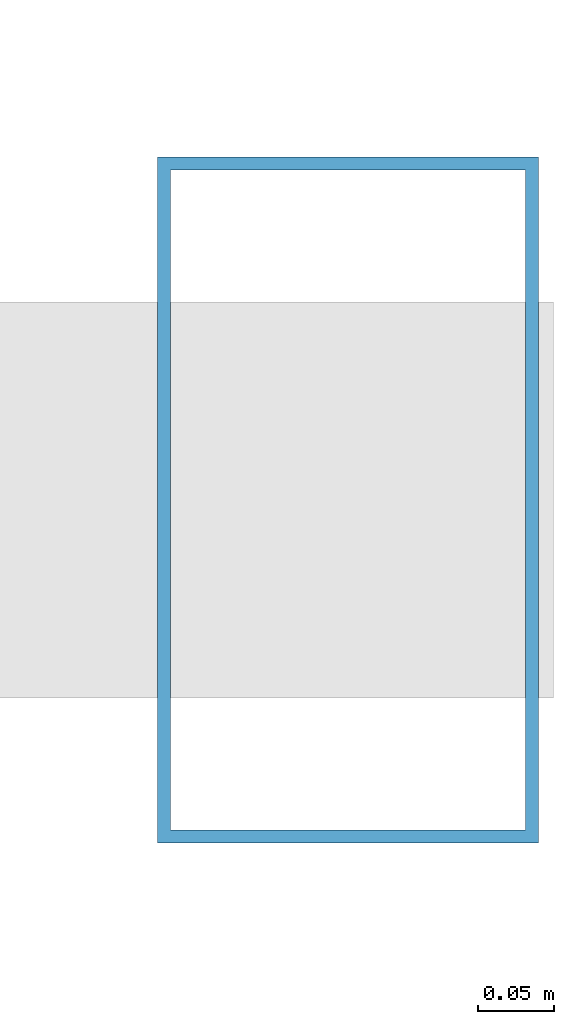
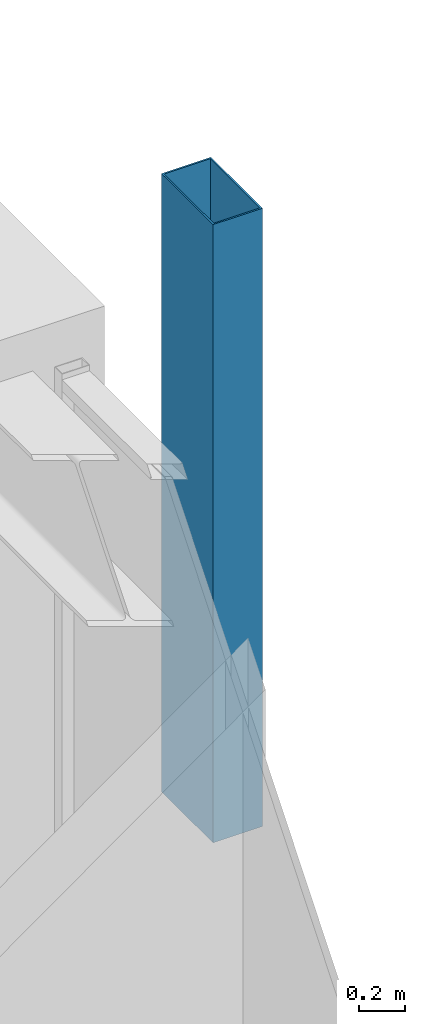
# One storey, part 17 of 38: 1 member.
"""IFC4 building model written with IfcOpenShell, lengths in metres."""

from ifc_helpers import new_model, si_unit, direction, frame, origin, origin_2d, place, context, subcontext, project, spatial, hollow_rectangle, extrude, material, material_profile, profile_set, type_object, element, save


model = new_model("IFC4")

# Units and contexts
model_context = context("Model", 3, precision=1e-05, world=origin(), true_north=direction((0.0, 1.0)))
body_context = subcontext(model_context, "Body", "Model", "MODEL_VIEW")
ifc_project = project(units=[si_unit("LENGTHUNIT", "METRE"), si_unit("AREAUNIT", "SQUARE_METRE"), si_unit("VOLUMEUNIT", "CUBIC_METRE"), si_unit("PLANEANGLEUNIT", "RADIAN"), si_unit("MASSUNIT", "GRAM", prefix="KILO")], contexts=[model_context])

# Site, building, storey
site_placement = place(None, origin())
site = spatial("IfcSite", under=ifc_project, at=site_placement, CompositionType="ELEMENT")
building_placement = place(site_placement, origin())
building = spatial("IfcBuilding", under=site, at=building_placement, Name="Kolvaren Belvedere", CompositionType="ELEMENT")
storey_placement = place(building_placement, frame((0.0, 0.0, 78.800048828125)))
storey = spatial("IfcBuildingStorey", under=building, at=storey_placement, Name="L22", CompositionType="ELEMENT", Elevation=78.800048828125)

# Member
ifc_material = material(Name="Anodised pale-metal aluminium AA 6063-T6", Category="aluminium")
ifc_material_profile = material_profile(ifc_material, hollow_rectangle(XDim=0.25, YDim=0.449951171875, WallThickness=0.008544921875, at=origin_2d()), Name="ALU-PF-450X250")
ifc_profile_set = profile_set([ifc_material_profile], Name="Anodised pale-metal aluminium AA 6063-T6")
member_type = type_object("IfcMemberType", Name="PF-FRAME-450", PredefinedType="USERDEFINED", material=ifc_profile_set)
member_placement = place(storey_placement, frame((21.320068359375, 4.60009765625, 0.0), z_axis=(0.0, 0.0, 1.0), x_axis=(1.0, 0.0, 0.0)))
element("IfcMember", 1, at=member_placement, inside=storey, type_object=member_type, Name="L22 Outboard Picture-Frame Vertical E1", ObjectType="PICTURE FRAME FIN", PredefinedType="USERDEFINED", context=body_context, shape_type="SweptSolid", body=[
    extrude(hollow_rectangle(XDim=0.25, YDim=0.449951171875, WallThickness=0.008544921875, at=origin_2d()), origin(), (0.0, 0.0, 1.0), 3.300048828125),
])

save(model, "model.ifc")
